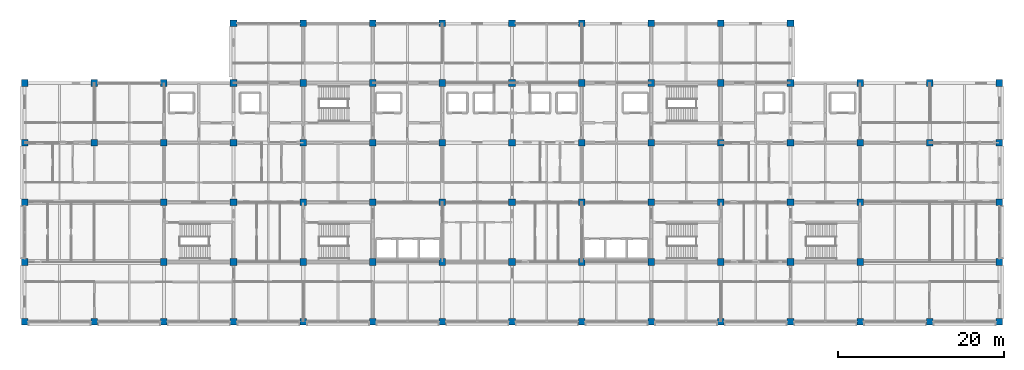
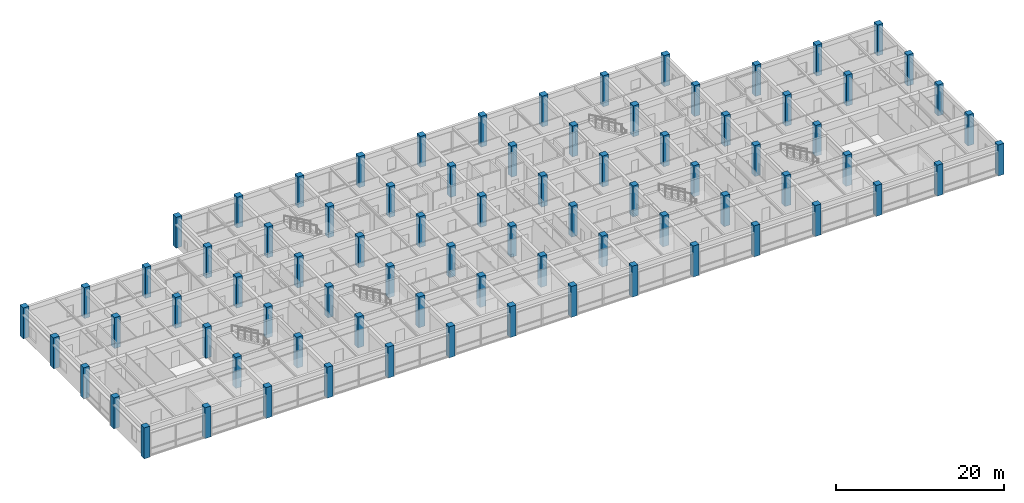
# One storey, part 1 of 30: 80 columns.
"""IFC4 building model written with IfcOpenShell, lengths in metres."""

from ifc_helpers import new_model, si_unit, direction, frame, origin, origin_2d, place, context, subcontext, project, spatial, rectangle, extrude, material, material_profile, profile_set, type_object, element, save


model = new_model("IFC4")

# Units and contexts
model_context = context("Model", 3, precision=1e-05, world=origin(), true_north=direction((0.0, 1.0)))
body_context = subcontext(model_context, "Body", "Model", "MODEL_VIEW")
ifc_project = project(units=[si_unit("LENGTHUNIT", "METRE"), si_unit("AREAUNIT", "SQUARE_METRE"), si_unit("VOLUMEUNIT", "CUBIC_METRE"), si_unit("PLANEANGLEUNIT", "RADIAN"), si_unit("MASSUNIT", "GRAM", prefix="KILO")], contexts=[model_context])

# Site, building, storey
site_placement = place(None, origin())
site = spatial("IfcSite", under=ifc_project, at=site_placement, CompositionType="ELEMENT")
building_placement = place(site_placement, origin())
building = spatial("IfcBuilding", under=site, at=building_placement, Name="Chengyuan Square Courthouse", CompositionType="ELEMENT")
storey_placement = place(building_placement, frame((0.0, 0.0, 30.60009765625)))
storey = spatial("IfcBuildingStorey", under=building, at=storey_placement, Name="L07", CompositionType="ELEMENT", Elevation=30.60009765625)

# Columns
ifc_material = material(Name="Concrete C50", Category="concrete")
ifc_material_profile = material_profile(ifc_material, rectangle(XDim=0.800048828125, YDim=0.800048828125, at=origin_2d()), Name="RC-COL-800x800")
ifc_profile_set = profile_set([ifc_material_profile], Name="Concrete C50")
column_type = type_object("IfcColumnType", Name="CL-04", PredefinedType="COLUMN", material=ifc_profile_set)
for number, where, z_axis, x_axis, name in (
    (1, (25.199951171875, 79.199951171875, 0.0), (0.0, 0.0, 1.0), (1.0, 0.0, 0.0), "Column CL-L07-001"),
    (2, (25.199951171875, 86.39990234375, 0.0), (0.0, 0.0, 1.0), (1.0, 0.0, 0.0), "Column CL-L07-002"),
    (3, (25.199951171875, 93.60009765625, 0.0), (0.0, 0.0, 1.0), (1.0, 0.0, 0.0), "Column CL-L07-003"),
    (4, (25.199951171875, 100.800048828125, 0.0), (0.0, 0.0, 1.0), (1.0, 0.0, 0.0), "Column CL-L07-004"),
    (5, (25.199951171875, 108.0, 0.0), (0.0, 0.0, 1.0), (1.0, 0.0, 0.0), "Column CL-L07-005"),
    (6, (33.60009765625, 79.199951171875, 0.0), (0.0, 0.0, 1.0), (1.0, 0.0, 0.0), "Column CL-L07-006"),
    (7, (33.60009765625, 100.800048828125, 0.0), (0.0, 0.0, 1.0), (1.0, 0.0, 0.0), "Column CL-L07-007"),
    (8, (33.60009765625, 108.0, 0.0), (0.0, 0.0, 1.0), (1.0, 0.0, 0.0), "Column CL-L07-008"),
    (9, (42.0, 79.199951171875, 0.0), (0.0, 0.0, 1.0), (1.0, 0.0, 0.0), "Column CL-L07-009"),
    (10, (42.0, 86.39990234375, 0.0), (0.0, 0.0, 1.0), (1.0, 0.0, 0.0), "Column CL-L07-010"),
    (11, (42.0, 93.60009765625, 0.0), (0.0, 0.0, 1.0), (1.0, 0.0, 0.0), "Column CL-L07-011"),
    (12, (42.0, 100.800048828125, 0.0), (0.0, 0.0, 1.0), (1.0, 0.0, 0.0), "Column CL-L07-012"),
    (13, (42.0, 108.0, 0.0), (0.0, 0.0, 1.0), (1.0, 0.0, 0.0), "Column CL-L07-013"),
    (14, (50.39990234375, 79.199951171875, 0.0), (0.0, 0.0, 1.0), (1.0, 0.0, 0.0), "Column CL-L07-014"),
    (15, (50.39990234375, 86.39990234375, 0.0), (0.0, 0.0, 1.0), (1.0, 0.0, 0.0), "Column CL-L07-015"),
    (16, (50.39990234375, 93.60009765625, 0.0), (0.0, 0.0, 1.0), (1.0, 0.0, 0.0), "Column CL-L07-016"),
    (17, (50.39990234375, 100.800048828125, 0.0), (0.0, 0.0, 1.0), (1.0, 0.0, 0.0), "Column CL-L07-017"),
    (18, (50.39990234375, 108.0, 0.0), (0.0, 0.0, 1.0), (1.0, 0.0, 0.0), "Column CL-L07-018"),
    (19, (50.39990234375, 115.199951171875, 0.0), (0.0, 0.0, 1.0), (1.0, 0.0, 0.0), "Column CL-L07-019"),
    (20, (58.800048828125, 79.199951171875, 0.0), (0.0, 0.0, 1.0), (1.0, 0.0, 0.0), "Column CL-L07-020"),
    (21, (58.800048828125, 86.39990234375, 0.0), (0.0, 0.0, 1.0), (1.0, 0.0, 0.0), "Column CL-L07-021"),
    (22, (58.800048828125, 93.60009765625, 0.0), (0.0, 0.0, 1.0), (1.0, 0.0, 0.0), "Column CL-L07-022"),
    (23, (58.800048828125, 100.800048828125, 0.0), (0.0, 0.0, 1.0), (1.0, 0.0, 0.0), "Column CL-L07-023"),
    (24, (58.800048828125, 108.0, 0.0), (0.0, 0.0, 1.0), (1.0, 0.0, 0.0), "Column CL-L07-024"),
    (25, (58.800048828125, 115.199951171875, 0.0), (0.0, 0.0, 1.0), (1.0, 0.0, 0.0), "Column CL-L07-025"),
    (26, (67.199951171875, 79.199951171875, 0.0), (0.0, 0.0, 1.0), (1.0, 0.0, 0.0), "Column CL-L07-026"),
    (27, (67.199951171875, 86.39990234375, 0.0), (0.0, 0.0, 1.0), (1.0, 0.0, 0.0), "Column CL-L07-027"),
    (28, (67.199951171875, 93.60009765625, 0.0), (0.0, 0.0, 1.0), (1.0, 0.0, 0.0), "Column CL-L07-028"),
    (29, (67.199951171875, 100.800048828125, 0.0), (0.0, 0.0, 1.0), (1.0, 0.0, 0.0), "Column CL-L07-029"),
    (30, (67.199951171875, 108.0, 0.0), (0.0, 0.0, 1.0), (1.0, 0.0, 0.0), "Column CL-L07-030"),
    (31, (67.199951171875, 115.199951171875, 0.0), (0.0, 0.0, 1.0), (1.0, 0.0, 0.0), "Column CL-L07-031"),
    (32, (75.60009765625, 79.199951171875, 0.0), (0.0, 0.0, 1.0), (1.0, 0.0, 0.0), "Column CL-L07-032"),
    (33, (75.60009765625, 86.39990234375, 0.0), (0.0, 0.0, 1.0), (1.0, 0.0, 0.0), "Column CL-L07-033"),
    (34, (75.60009765625, 93.60009765625, 0.0), (0.0, 0.0, 1.0), (1.0, 0.0, 0.0), "Column CL-L07-034"),
    (35, (75.60009765625, 100.800048828125, 0.0), (0.0, 0.0, 1.0), (1.0, 0.0, 0.0), "Column CL-L07-035"),
    (36, (75.60009765625, 108.0, 0.0), (0.0, 0.0, 1.0), (1.0, 0.0, 0.0), "Column CL-L07-036"),
    (37, (75.60009765625, 115.199951171875, 0.0), (0.0, 0.0, 1.0), (1.0, 0.0, 0.0), "Column CL-L07-037"),
    (38, (84.0, 79.199951171875, 0.0), (0.0, 0.0, 1.0), (1.0, 0.0, 0.0), "Column CL-L07-038"),
    (39, (84.0, 86.39990234375, 0.0), (0.0, 0.0, 1.0), (1.0, 0.0, 0.0), "Column CL-L07-039"),
    (40, (84.0, 93.60009765625, 0.0), (0.0, 0.0, 1.0), (1.0, 0.0, 0.0), "Column CL-L07-040"),
    (41, (84.0, 100.800048828125, 0.0), (0.0, 0.0, 1.0), (1.0, 0.0, 0.0), "Column CL-L07-041"),
    (42, (84.0, 108.0, 0.0), (0.0, 0.0, 1.0), (1.0, 0.0, 0.0), "Column CL-L07-042"),
    (43, (84.0, 115.199951171875, 0.0), (0.0, 0.0, 1.0), (1.0, 0.0, 0.0), "Column CL-L07-043"),
    (44, (92.39990234375, 79.199951171875, 0.0), (0.0, 0.0, 1.0), (1.0, 0.0, 0.0), "Column CL-L07-044"),
    (45, (92.39990234375, 86.39990234375, 0.0), (0.0, 0.0, 1.0), (1.0, 0.0, 0.0), "Column CL-L07-045"),
    (46, (92.39990234375, 93.60009765625, 0.0), (0.0, 0.0, 1.0), (1.0, 0.0, 0.0), "Column CL-L07-046"),
    (47, (92.39990234375, 100.800048828125, 0.0), (0.0, 0.0, 1.0), (1.0, 0.0, 0.0), "Column CL-L07-047"),
    (48, (92.39990234375, 108.0, 0.0), (0.0, 0.0, 1.0), (1.0, 0.0, 0.0), "Column CL-L07-048"),
    (49, (92.39990234375, 115.199951171875, 0.0), (0.0, 0.0, 1.0), (1.0, 0.0, 0.0), "Column CL-L07-049"),
    (50, (100.800048828125, 79.199951171875, 0.0), (0.0, 0.0, 1.0), (1.0, 0.0, 0.0), "Column CL-L07-050"),
    (51, (100.800048828125, 86.39990234375, 0.0), (0.0, 0.0, 1.0), (1.0, 0.0, 0.0), "Column CL-L07-051"),
    (52, (100.800048828125, 93.60009765625, 0.0), (0.0, 0.0, 1.0), (1.0, 0.0, 0.0), "Column CL-L07-052"),
    (53, (100.800048828125, 100.800048828125, 0.0), (0.0, 0.0, 1.0), (1.0, 0.0, 0.0), "Column CL-L07-053"),
    (54, (100.800048828125, 108.0, 0.0), (0.0, 0.0, 1.0), (1.0, 0.0, 0.0), "Column CL-L07-054"),
    (55, (100.800048828125, 115.199951171875, 0.0), (0.0, 0.0, 1.0), (1.0, 0.0, 0.0), "Column CL-L07-055"),
    (56, (109.199951171875, 79.199951171875, 0.0), (0.0, 0.0, 1.0), (1.0, 0.0, 0.0), "Column CL-L07-056"),
    (57, (109.199951171875, 86.39990234375, 0.0), (0.0, 0.0, 1.0), (1.0, 0.0, 0.0), "Column CL-L07-057"),
    (58, (109.199951171875, 93.60009765625, 0.0), (0.0, 0.0, 1.0), (1.0, 0.0, 0.0), "Column CL-L07-058"),
    (59, (109.199951171875, 100.800048828125, 0.0), (0.0, 0.0, 1.0), (1.0, 0.0, 0.0), "Column CL-L07-059"),
    (60, (109.199951171875, 108.0, 0.0), (0.0, 0.0, 1.0), (1.0, 0.0, 0.0), "Column CL-L07-060"),
    (61, (109.199951171875, 115.199951171875, 0.0), (0.0, 0.0, 1.0), (1.0, 0.0, 0.0), "Column CL-L07-061"),
    (62, (117.60009765625, 79.199951171875, 0.0), (0.0, 0.0, 1.0), (1.0, 0.0, 0.0), "Column CL-L07-062"),
    (63, (117.60009765625, 86.39990234375, 0.0), (0.0, 0.0, 1.0), (1.0, 0.0, 0.0), "Column CL-L07-063"),
    (64, (117.60009765625, 93.60009765625, 0.0), (0.0, 0.0, 1.0), (1.0, 0.0, 0.0), "Column CL-L07-064"),
    (65, (117.60009765625, 100.800048828125, 0.0), (0.0, 0.0, 1.0), (1.0, 0.0, 0.0), "Column CL-L07-065"),
    (66, (117.60009765625, 108.0, 0.0), (0.0, 0.0, 1.0), (1.0, 0.0, 0.0), "Column CL-L07-066"),
    (67, (117.60009765625, 115.199951171875, 0.0), (0.0, 0.0, 1.0), (1.0, 0.0, 0.0), "Column CL-L07-067"),
    (68, (126.0, 79.199951171875, 0.0), (0.0, 0.0, 1.0), (1.0, 0.0, 0.0), "Column CL-L07-068"),
    (69, (126.0, 86.39990234375, 0.0), (0.0, 0.0, 1.0), (1.0, 0.0, 0.0), "Column CL-L07-069"),
    (70, (126.0, 93.60009765625, 0.0), (0.0, 0.0, 1.0), (1.0, 0.0, 0.0), "Column CL-L07-070"),
    (71, (126.0, 100.800048828125, 0.0), (0.0, 0.0, 1.0), (1.0, 0.0, 0.0), "Column CL-L07-071"),
    (72, (126.0, 108.0, 0.0), (0.0, 0.0, 1.0), (1.0, 0.0, 0.0), "Column CL-L07-072"),
    (73, (134.39990234375, 79.199951171875, 0.0), (0.0, 0.0, 1.0), (1.0, 0.0, 0.0), "Column CL-L07-073"),
    (74, (134.39990234375, 100.800048828125, 0.0), (0.0, 0.0, 1.0), (1.0, 0.0, 0.0), "Column CL-L07-074"),
    (75, (134.39990234375, 108.0, 0.0), (0.0, 0.0, 1.0), (1.0, 0.0, 0.0), "Column CL-L07-075"),
    (76, (142.800048828125, 79.199951171875, 0.0), (0.0, 0.0, 1.0), (1.0, 0.0, 0.0), "Column CL-L07-076"),
    (77, (142.800048828125, 86.39990234375, 0.0), (0.0, 0.0, 1.0), (1.0, 0.0, 0.0), "Column CL-L07-077"),
    (78, (142.800048828125, 93.60009765625, 0.0), (0.0, 0.0, 1.0), (1.0, 0.0, 0.0), "Column CL-L07-078"),
    (79, (142.800048828125, 100.800048828125, 0.0), (0.0, 0.0, 1.0), (1.0, 0.0, 0.0), "Column CL-L07-079"),
    (80, (142.800048828125, 108.0, 0.0), (0.0, 0.0, 1.0), (1.0, 0.0, 0.0), "Column CL-L07-080"),
):
    element("IfcColumn", number, at=place(storey_placement, frame(where, z_axis=z_axis, x_axis=x_axis)), inside=storey, type_object=column_type, Name=name, PredefinedType="COLUMN", context=body_context, shape_type="SweptSolid", body=[
        extrude(rectangle(XDim=0.800048828125, YDim=0.800048828125, at=origin_2d()), origin(), (0.0, 0.0, 1.0), 4.5),
    ])

save(model, "model.ifc")
